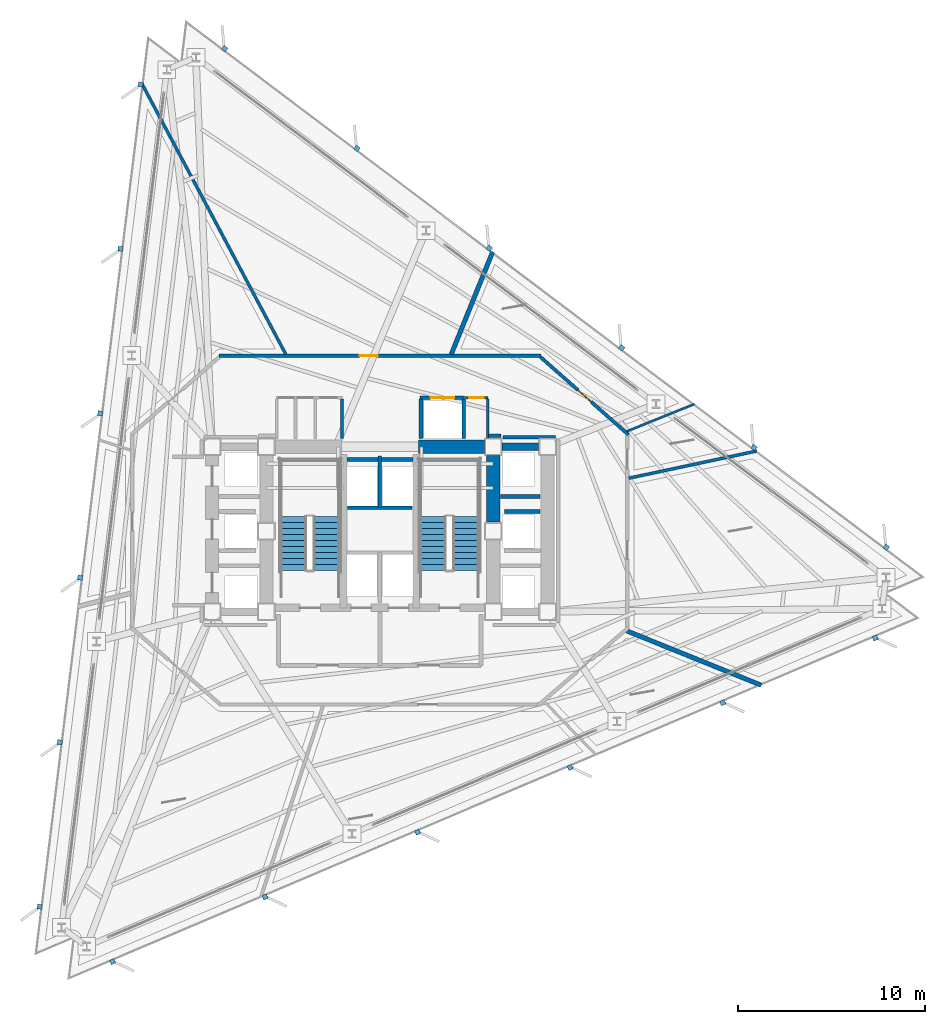
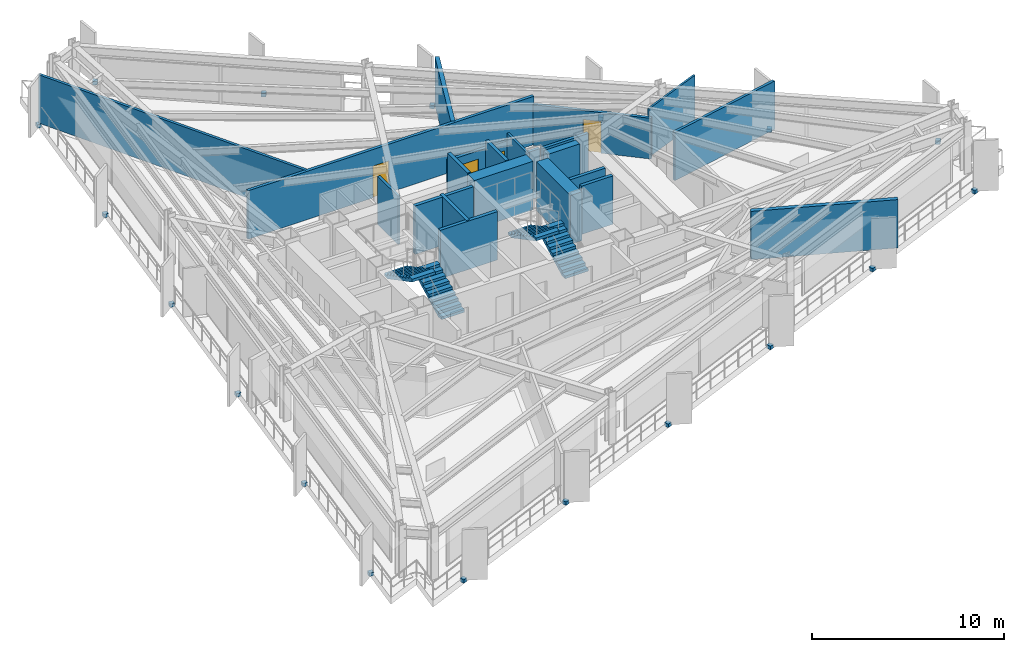
# One storey, part 8 of 13: 23 walls, 18 discrete accessories, 4 doors, 4 stair flights, 4 openings, 2 elements without a shape of their own.
"""IFC4 building model written with IfcOpenShell, lengths in metres."""

from ifc_helpers import new_model, si_unit, direction, frame, frame_2d, origin, origin_2d, place, context, subcontext, project, spatial, polyline, rectangle, outline, extrude, material, layer, layer_set, type_object, element, fill, aggregate, save


model = new_model("IFC4")

# Units and contexts
model_context = context("Model", 3, precision=1e-05, world=origin(), true_north=direction((0.0, 1.0)))
body_context = subcontext(model_context, "Body", "Model", "MODEL_VIEW")
ifc_project = project(units=[si_unit("LENGTHUNIT", "METRE"), si_unit("AREAUNIT", "SQUARE_METRE"), si_unit("VOLUMEUNIT", "CUBIC_METRE"), si_unit("PLANEANGLEUNIT", "RADIAN"), si_unit("MASSUNIT", "GRAM", prefix="KILO")], contexts=[model_context])

# Site, building, storey
site_placement = place(None, origin())
site = spatial("IfcSite", under=ifc_project, at=site_placement, CompositionType="ELEMENT")
building_placement = place(site_placement, origin())
building = spatial("IfcBuilding", under=site, at=building_placement, Name="Rocaltana Carrier Exchange", CompositionType="ELEMENT")
storey_placement = place(building_placement, frame((0.0, 0.0, 49.60009765625)))
storey = spatial("IfcBuildingStorey", under=building, at=storey_placement, Name="L15", CompositionType="ELEMENT", Elevation=49.60009765625)

# Walls
ifc_material_1 = material(Name="Double Acoustic Gypsum Partition", Category="gypsum")
ifc_layer_1 = layer(ifc_material_1, 0.159912109375)
ifc_layer_set_1 = layer_set([ifc_layer_1], Name="Double Acoustic Gypsum Partition")
wall_type_1 = type_object("IfcWallType", Name="Acoustic Studio Partition 160 EI60", PredefinedType="PARTITIONING", material=ifc_layer_set_1)
wall_1_placement = place(storey_placement, frame((13.280029296875, 2.82275390625, 0.0), z_axis=(0.0, 0.0, 1.0), x_axis=(0.978150237712, 0.207899284425, 0.0)))
element("IfcWall", 1, at=wall_1_placement, inside=storey, type_object=wall_type_1, Name="L15 Suite Divider Wall D5", PredefinedType="PARTITIONING", context=body_context, shape_type="SweptSolid", body=[
    extrude(rectangle(XDim=6.98828125, YDim=0.159912109375, at=frame_2d((3.494140625, 0.0))), origin(), (0.0, 0.0, 1.0), 3.072998046875),
])
wall_2_placement = place(storey_placement, frame((-5.013916015625, 9.429931640625, 0.0), z_axis=(0.0, 0.0, 1.0), x_axis=(-0.469473054772, 0.882946799554, 0.0)))
element("IfcWall", 2, at=wall_2_placement, inside=storey, type_object=wall_type_1, Name="L15 Suite Divider Wall D8", PredefinedType="PARTITIONING", context=body_context, shape_type="SweptSolid", body=[
    extrude(rectangle(XDim=16.37939453125, YDim=0.159912109375, at=frame_2d((8.189697265625, 0.0))), origin(), (0.0, 0.0, 1.0), 3.072998046875),
])
ifc_material_2 = material(Name="Concrete C50/60", Category="concrete")
ifc_layer_2 = layer(ifc_material_2, 0.39990234375)
ifc_layer_set_2 = layer_set([ifc_layer_2], Name="Concrete C50/60")
wall_type_2 = type_object("IfcWallType", Name="Core Internal Shear Wall 400", PredefinedType="SHEAR", material=ifc_layer_set_2)
wall_3_placement = place(storey_placement, frame((6.52490234375, 4.5, 0.0), z_axis=(0.0, 0.0, 1.0), x_axis=(1.0, 0.0, 0.0)))
element("IfcWall", 3, at=wall_3_placement, inside=storey, type_object=wall_type_2, Name="L15 Core Shear Wall CW-EWN", PredefinedType="SHEAR", context=body_context, shape_type="SweptSolid", body=[
    extrude(rectangle(XDim=1.9501953125, YDim=0.39990234375, at=frame_2d((0.97509765625, 0.0))), origin(), (0.0, 0.0, 1.0), 3.097900390625),
])
ifc_material_3 = material(Name="Concrete C60/75", Category="concrete")
ifc_layer_3 = layer(ifc_material_3, 0.699951171875)
ifc_layer_set_3 = layer_set([ifc_layer_3], Name="Concrete C60/75")
wall_type_3 = type_object("IfcWallType", Name="Core Shear Wall 700", PredefinedType="SHEAR", material=ifc_layer_set_3)
wall_4_placement = place(storey_placement, frame((6.050048828125, 0.47509765625, 0.0), z_axis=(0.0, 0.0, 1.0), x_axis=(0.0, 1.0, 0.0)))
element("IfcWall", 4, at=wall_4_placement, inside=storey, type_object=wall_type_3, Name="L15 Core Shear Wall CW-EN", PredefinedType="SHEAR", context=body_context, shape_type="SweptSolid", body=[
    extrude(rectangle(XDim=3.5498046875, YDim=0.699951171875, at=frame_2d((1.77490234375, 0.0))), origin(), (0.0, 0.0, 1.0), 3.097900390625),
])
wall_5_placement = place(storey_placement, frame((2.050048828125, 4.5, 0.0), z_axis=(0.0, 0.0, 1.0), x_axis=(1.0, 0.0, 0.0)))
element("IfcWall", 5, at=wall_5_placement, inside=storey, type_object=wall_type_3, Name="L15 Core Shear Wall CW-N2", PredefinedType="SHEAR", context=body_context, shape_type="SweptSolid", body=[
    extrude(rectangle(XDim=3.52490234375, YDim=0.699951171875, at=frame_2d((1.762451171875, 0.0))), origin(), (0.0, 0.0, 1.0), 3.097900390625),
])

# Wall, opening, door
ifc_material_4 = material(Name="Gypsum & Steel Stud Partition", Category="steel")
ifc_layer_4 = layer(ifc_material_4, 0.179931640625)
ifc_layer_set_4 = layer_set([ifc_layer_4], Name="Gypsum & Steel Stud Partition")
wall_type_4 = type_object("IfcWallType", Name="Corridor Fire Partition 180 EI60", PredefinedType="PARTITIONING", material=ifc_layer_set_4)
wall_6_placement = place(storey_placement, frame((-8.590087890625, 9.35009765625, 0.0), z_axis=(0.0, 0.0, 1.0), x_axis=(1.0, 0.0, 0.0)))
wall_6 = element("IfcWall", 6, at=wall_6_placement, inside=storey, type_object=wall_type_4, Name="L15 Corridor Partition 1", PredefinedType="PARTITIONING", context=body_context, shape_type="SweptSolid", body=[
    extrude(rectangle(XDim=17.18017578125, YDim=0.179931640625, at=frame_2d((8.590087890625, 0.0))), origin(), (0.0, 0.0, 1.0), 3.072998046875),
])
opening_1_placement = place(wall_6_placement, frame((7.505859375, 0.0, 0.0)))
opening_1 = element("IfcOpeningElement", 7, at=opening_1_placement, cuts=wall_6, Name="Opening D-RM098", PredefinedType="OPENING", context=body_context, shape_type="SweptSolid", body=[
    extrude(rectangle(XDim=0.9599609375, YDim=2.02001953125, at=frame_2d((0.47998046875, 1.010009765625))), frame((0.0, 0.099853515625, 0.0), z_axis=(0.0, -1.0, 0.0), x_axis=(1.0, 0.0, 0.0)), (0.0, 0.0, 1.0), 0.199951171875),
])
ifc_material_5 = material(Name="Engineered Hardwood Timber", Category="wood")
door_type_1 = type_object("IfcDoorType", Name="Workspace Single Door 960x2020", OperationType="NOTDEFINED", PredefinedType="DOOR", material=ifc_material_5)
door_1_placement = place(opening_1_placement, origin())
door_1 = element("IfcDoor", 8, at=door_1_placement, inside=storey, type_object=door_type_1, Name="L15 Quiet Focus Lounge Entrance Door", OperationType="SINGLE_SWING_RIGHT", OverallHeight=2.02001953125, OverallWidth=0.9599609375, PredefinedType="DOOR", context=body_context, shape_type="SweptSolid", body=[
    extrude(rectangle(XDim=0.9599609375, YDim=2.02001953125, at=frame_2d((0.47998046875, 1.010009765625))), frame((0.0, 0.02490234375, 0.0), z_axis=(0.0, -1.0, 0.0), x_axis=(1.0, 0.0, 0.0)), (0.0, 0.0, 1.0), 0.050048828125),
])
fill(opening_1, door_1)

wall_7_placement = place(storey_placement, frame((8.5673828125, 9.290283203125, 0.0), z_axis=(0.0, 0.0, 1.0), x_axis=(0.749626463267, -0.66186113768, 0.0)))
wall_7 = element("IfcWall", 9, at=wall_7_placement, inside=storey, type_object=wall_type_4, Name="L15 Corridor Partition 2", PredefinedType="PARTITIONING", context=body_context, shape_type="SweptSolid", body=[
    extrude(rectangle(XDim=6.27001953125, YDim=0.179931640625, at=frame_2d((3.135009765625, 0.0))), origin(), (0.0, 0.0, 1.0), 2.5869140625),
])
opening_2_placement = place(wall_7_placement, frame((2.655029296875, 0.0, 0.0)))
opening_2 = element("IfcOpeningElement", 10, at=opening_2_placement, cuts=wall_7, Name="Opening D-RM098", PredefinedType="OPENING", context=body_context, shape_type="SweptSolid", body=[
    extrude(rectangle(XDim=0.9599609375, YDim=2.02001953125, at=frame_2d((0.47998046875, 1.010009765625))), frame((0.0, 0.099853515625, 0.0), z_axis=(0.0, -1.0, 0.0), x_axis=(1.0, 0.0, 0.0)), (0.0, 0.0, 1.0), 0.199951171875),
])
door_2_placement = place(opening_2_placement, origin())
door_2 = element("IfcDoor", 11, at=door_2_placement, inside=storey, type_object=door_type_1, Name="L15 Network Engineering Studio Entrance Door", OperationType="SINGLE_SWING_LEFT", OverallHeight=2.02001953125, OverallWidth=0.9599609375, PredefinedType="DOOR", context=body_context, shape_type="SweptSolid", body=[
    extrude(rectangle(XDim=0.9599609375, YDim=2.02001953125, at=frame_2d((0.47998046875, 1.010009765625))), frame((0.0, 0.02490234375, 0.0), z_axis=(0.0, -1.0, 0.0), x_axis=(1.0, 0.0, 0.0)), (0.0, 0.0, 1.0), 0.050048828125),
])
fill(opening_2, door_2)

# Walls
wall_8_placement = place(storey_placement, frame((9.3701171875, 5.010009765625, 0.0), z_axis=(0.0, 0.0, 1.0), x_axis=(-1.0, 0.0, 0.0)))
element("IfcWall", 12, at=wall_8_placement, inside=storey, type_object=wall_type_4, Name="L15 Corridor Partition 18", PredefinedType="PARTITIONING", context=body_context, shape_type="SweptSolid", body=[
    extrude(rectangle(XDim=2.807861328125, YDim=0.179931640625, at=frame_2d((1.40380859375, 0.0))), origin(), (0.0, 0.0, 1.0), 3.072998046875),
])
wall_9_placement = place(storey_placement, frame((6.469970703125, 5.080078125, 0.0), z_axis=(0.0, 0.0, 1.0), x_axis=(-1.0, 0.0, 0.0)))
element("IfcWall", 13, at=wall_9_placement, inside=storey, type_object=wall_type_4, Name="L15 Corridor Partition 19", PredefinedType="PARTITIONING", context=body_context, shape_type="SweptSolid", body=[
    extrude(rectangle(XDim=0.679931640625, YDim=0.179931640625, at=frame_2d((0.33984375, 0.0))), origin(), (0.0, 0.0, 1.0), 3.072998046875),
])
ifc_material_6 = material(Name="Aluminium 6063-T6 & Acoustic Glass", Category="aluminium")
ifc_layer_5 = layer(ifc_material_6, 0.114990234375)
ifc_layer_set_5 = layer_set([ifc_layer_5], Name="Aluminium 6063-T6 & Acoustic Glass")
wall_type_5 = type_object("IfcWallType", Name="Demountable Glazed Lab Partition 115", PredefinedType="MOVABLE", material=ifc_layer_set_5)
wall_10_placement = place(storey_placement, frame((13.179443359375, 5.324951171875, 0.0), z_axis=(0.0, 0.0, 1.0), x_axis=(0.927199532139, 0.374567787725, 0.0)))
element("IfcWall", 14, at=wall_10_placement, inside=storey, type_object=wall_type_5, Name="L15 Suite Divider Wall D6", PredefinedType="MOVABLE", context=body_context, shape_type="SweptSolid", body=[
    extrude(rectangle(XDim=3.892578125, YDim=0.114990234375, at=frame_2d((1.9462890625, 0.0))), origin(), (0.0, 0.0, 1.0), 3.072998046875),
])
ifc_material_7 = material(Name="Acoustic Calcium Silicate Partition", Category="gypsum")
ifc_layer_6 = layer(ifc_material_7, 0.239990234375)
ifc_layer_set_6 = layer_set([ifc_layer_6], Name="Acoustic Calcium Silicate Partition")
wall_type_6 = type_object("IfcWallType", Name="Heavy Lab Partition 240 EI90", PredefinedType="PARTITIONING", material=ifc_layer_set_6)
wall_11_placement = place(storey_placement, frame((13.17822265625, -5.324462890625, 0.0), z_axis=(0.0, 0.0, 1.0), x_axis=(0.927191467136, -0.374587751094, 0.0)))
element("IfcWall", 15, at=wall_11_placement, inside=storey, type_object=wall_type_6, Name="L15 Suite Divider Wall D4", PredefinedType="PARTITIONING", context=body_context, shape_type="SweptSolid", body=[
    extrude(rectangle(XDim=7.736328125, YDim=0.239990234375, at=frame_2d((3.8681640625, 0.0))), origin(), (0.0, 0.0, 1.0), 3.072998046875),
])
wall_12_placement = place(storey_placement, frame((3.81005859375, 9.429931640625, 0.0), z_axis=(0.0, 0.0, 1.0), x_axis=(0.374593091461, 0.927189309596, 0.0)))
element("IfcWall", 16, at=wall_12_placement, inside=storey, type_object=wall_type_6, Name="L15 Suite Divider Wall D7", PredefinedType="PARTITIONING", context=body_context, shape_type="SweptSolid", body=[
    extrude(rectangle(XDim=5.897705078125, YDim=0.239990234375, at=frame_2d((2.94873046875, 0.0))), origin(), (0.0, 0.0, 1.0), 3.072998046875),
])
ifc_material_8 = material(Name="Reinforced Concrete Block C35/45", Category="concrete")
ifc_layer_7 = layer(ifc_material_8, 0.199951171875)
ifc_layer_set_7 = layer_set([ifc_layer_7], Name="Reinforced Concrete Block C35/45")
wall_type_7 = type_object("IfcWallType", Name="Lift Hoistway Enclosure Wall 200 EI120", PredefinedType="PARTITIONING", material=ifc_layer_set_7)
wall_13_placement = place(storey_placement, frame((0.0, 1.25, 0.0), z_axis=(0.0, 0.0, 1.0), x_axis=(0.0, 1.0, 0.0)))
element("IfcWall", 17, at=wall_13_placement, inside=storey, type_object=wall_type_7, Name="L15 High-Rise Shaft Divider", PredefinedType="PARTITIONING", context=body_context, shape_type="SweptSolid", body=[
    extrude(rectangle(XDim=2.77001953125, YDim=0.199951171875, at=frame_2d((1.385009765625, 0.0))), origin(), (0.0, 0.0, 1.0), 3.072998046875),
])
wall_14_placement = place(storey_placement, frame((-1.719970703125, 1.25, 0.0), z_axis=(0.0, 0.0, 1.0), x_axis=(1.0, 0.0, 0.0)))
element("IfcWall", 18, at=wall_14_placement, inside=storey, type_object=wall_type_7, Name="L15 High-Rise Shaft Back Wall", PredefinedType="PARTITIONING", context=body_context, shape_type="SweptSolid", body=[
    extrude(rectangle(XDim=3.43994140625, YDim=0.199951171875, at=frame_2d((1.719970703125, 0.0))), origin(), (0.0, 0.0, 1.0), 3.072998046875),
])
wall_15_placement = place(storey_placement, frame((-1.760009765625, 3.820068359375, 0.0), z_axis=(0.0, 0.0, 1.0), x_axis=(1.0, 0.0, 0.0)))
element("IfcWall", 19, at=wall_15_placement, inside=storey, type_object=wall_type_7, Name="L15 High-Rise Lift Front Wall", PredefinedType="PARTITIONING", context=body_context, shape_type="SweptSolid", body=[
    extrude(rectangle(XDim=3.52001953125, YDim=0.199951171875, at=frame_2d((1.760009765625, 0.0))), origin(), (0.0, 0.0, 1.0), 3.072998046875),
])
for number, where, z_axis, x_axis, name in (
    (20, (2.199951171875, 4.949951171875, 0.0), (0.0, 0.0, 1.0), (0.0, 1.0, 0.0), "L15 Goods Lift West Wall"),
    (21, (4.47998046875, 4.949951171875, 0.0), (0.0, 0.0, 1.0), (0.0, 1.0, 0.0), "L15 Goods Lift East Wall"),
):
    element("IfcWall", number, at=place(storey_placement, frame(where, z_axis=z_axis, x_axis=x_axis)), inside=storey, type_object=wall_type_7, Name=name, PredefinedType="PARTITIONING", context=body_context, shape_type="SweptSolid", body=[
        extrude(rectangle(XDim=2.10009765625, YDim=0.199951171875, at=frame_2d((1.050048828125, 0.0))), origin(), (0.0, 0.0, 1.0), 3.072998046875),
    ])

# Wall, opening, door
wall_16_placement = place(storey_placement, frame((2.14990234375, 7.1201171875, 0.0), z_axis=(0.0, 0.0, 1.0), x_axis=(1.0, 0.0, 0.0)))
wall_16 = element("IfcWall", 22, at=wall_16_placement, inside=storey, type_object=wall_type_7, Name="L15 Goods Lift Front Wall", PredefinedType="PARTITIONING", context=body_context, shape_type="SweptSolid", body=[
    extrude(rectangle(XDim=2.380126953125, YDim=0.199951171875, at=frame_2d((1.18994140625, 0.0))), origin(), (0.0, 0.0, 1.0), 2.5869140625),
])
opening_3_placement = place(wall_16_placement, frame((0.56005859375, 0.0, 0.0)))
opening_3 = element("IfcOpeningElement", 23, at=opening_3_placement, cuts=wall_16, Name="Opening LD-130", PredefinedType="OPENING", context=body_context, shape_type="SweptSolid", body=[
    extrude(rectangle(XDim=1.260009765625, YDim=2.06005859375, at=frame_2d((0.6298828125, 1.030029296875))), frame((0.0, 0.10986328125, 0.0), z_axis=(0.0, -1.0, 0.0), x_axis=(1.0, 0.0, 0.0)), (0.0, 0.0, 1.0), 0.219970703125),
])
ifc_material_9 = material(Name="Brushed Stainless Sliding Door Leaf", Category="steel")
door_type_2 = type_object("IfcDoorType", Name="Goods Lift Landing Sliding Door 1260x2060", OperationType="NOTDEFINED", PredefinedType="DOOR", material=ifc_material_9)
door_3_placement = place(opening_3_placement, origin())
door_3 = element("IfcDoor", 24, at=door_3_placement, inside=storey, type_object=door_type_2, Name="L15 Goods Lift GL-1 Landing Door", OperationType="SLIDING_TO_LEFT", OverallHeight=2.06005859375, OverallWidth=1.260009765625, PredefinedType="DOOR", context=body_context, shape_type="SweptSolid", body=[
    extrude(rectangle(XDim=1.260009765625, YDim=2.06005859375, at=frame_2d((0.6298828125, 1.030029296875))), frame((0.0, 0.02490234375, 0.0), z_axis=(0.0, -1.0, 0.0), x_axis=(1.0, 0.0, 0.0)), (0.0, 0.0, 1.0), 0.050048828125),
])
fill(opening_3, door_3)

# Walls
wall_17_placement = place(storey_placement, frame((6.449951171875, 1.85009765625, 0.0), z_axis=(0.0, 0.0, 1.0), x_axis=(1.0, 0.0, 0.0)))
element("IfcWall", 25, at=wall_17_placement, inside=storey, type_object=wall_type_7, Name="L15 Mid-Rise Shaft Divider 2", PredefinedType="PARTITIONING", context=body_context, shape_type="SweptSolid", body=[
    extrude(rectangle(XDim=2.10009765625, YDim=0.199951171875, at=frame_2d((1.050048828125, 0.0))), origin(), (0.0, 0.0, 1.0), 3.072998046875),
])
wall_18_placement = place(storey_placement, frame((6.639892578125, 1.050048828125, 0.0), z_axis=(0.0, 0.0, 1.0), x_axis=(1.0, 0.0, 0.0)))
element("IfcWall", 26, at=wall_18_placement, inside=storey, type_object=wall_type_7, Name="L15 Mid-Rise Center Shaft Wall North", PredefinedType="PARTITIONING", context=body_context, shape_type="SweptSolid", body=[
    extrude(rectangle(XDim=1.91015625, YDim=0.199951171875, at=frame_2d((0.955078125, 0.0))), origin(), (0.0, 0.0, 1.0), 3.072998046875),
])
ifc_material_10 = material(Name="Moisture-Resistant Masonry C30/37", Category="masonry")
ifc_layer_8 = layer(ifc_material_10, 0.139892578125)
ifc_layer_set_8 = layer_set([ifc_layer_8], Name="Moisture-Resistant Masonry C30/37")
wall_type_8 = type_object("IfcWallType", Name="Wet-Area Sanitary Partition 140", PredefinedType="PARTITIONING", material=ifc_layer_set_8)
for number, where, z_axis, x_axis, name in (
    (27, (-2.02001953125, 4.949951171875, 0.0), (0.0, 0.0, 1.0), (0.0, 1.0, 0.0), "L15 Sanitary East Wall"),
    (28, (5.760009765625, 4.949951171875, 0.0), (0.0, 0.0, 1.0), (0.0, 1.0, 0.0), "L15 Riser East Wall"),
):
    element("IfcWall", number, at=place(storey_placement, frame(where, z_axis=z_axis, x_axis=x_axis)), inside=storey, type_object=wall_type_8, Name=name, PredefinedType="PARTITIONING", context=body_context, shape_type="SweptSolid", body=[
        extrude(rectangle(XDim=2.10009765625, YDim=0.139892578125, at=frame_2d((1.050048828125, 0.0))), origin(), (0.0, 0.0, 1.0), 3.072998046875),
    ])

# Wall, opening, door
wall_19_placement = place(storey_placement, frame((4.56005859375, 7.1201171875, 0.0), z_axis=(0.0, 0.0, 1.0), x_axis=(1.0, 0.0, 0.0)))
wall_19 = element("IfcWall", 29, at=wall_19_placement, inside=storey, type_object=wall_type_8, Name="L15 Riser North Wall", PredefinedType="PARTITIONING", context=body_context, shape_type="SweptSolid", body=[
    extrude(rectangle(XDim=1.199951171875, YDim=0.139892578125, at=frame_2d((0.60009765625, 0.0))), origin(), (0.0, 0.0, 1.0), 2.5869140625),
])
opening_4_placement = place(wall_19_placement, frame((0.2099609375, 0.0, 0.0)))
opening_4 = element("IfcOpeningElement", 30, at=opening_4_placement, cuts=wall_19, Name="Opening D-RS082", PredefinedType="OPENING", context=body_context, shape_type="SweptSolid", body=[
    extrude(rectangle(XDim=0.780029296875, YDim=2.010009765625, at=frame_2d((0.39013671875, 1.0048828125))), frame((0.0, 0.079833984375, 0.0), z_axis=(0.0, -1.0, 0.0), x_axis=(1.0, 0.0, 0.0)), (0.0, 0.0, 1.0), 0.159912109375),
])
ifc_material_11 = material(Name="Hollow Metal Access Door Leaf", Category="steel")
door_type_3 = type_object("IfcDoorType", Name="Riser & Service Closet Door 780x2010", OperationType="NOTDEFINED", PredefinedType="DOOR", material=ifc_material_11)
door_4_placement = place(opening_4_placement, origin())
door_4 = element("IfcDoor", 31, at=door_4_placement, inside=storey, type_object=door_type_3, Name="L15 Signal Riser Closet Door", OperationType="SINGLE_SWING_LEFT", OverallHeight=2.010009765625, OverallWidth=0.780029296875, PredefinedType="DOOR", context=body_context, shape_type="SweptSolid", body=[
    extrude(rectangle(XDim=0.780029296875, YDim=2.010009765625, at=frame_2d((0.39013671875, 1.0048828125))), frame((0.0, 0.02490234375, 0.0), z_axis=(0.0, -1.0, 0.0), x_axis=(1.0, 0.0, 0.0)), (0.0, 0.0, 1.0), 0.050048828125),
])
fill(opening_4, door_4)

# Stair, stair flights
ifc_material_12 = material(Name="Precast concrete C45/55", Category="concrete")
stair_type = type_object("IfcStairType", Name="Standard Dog-Leg Stair 160", PredefinedType="HALF_TURN_STAIR", material=ifc_material_12)
stair_1_placement = place(storey_placement, origin())
stair_1 = element("IfcStair", 32, at=stair_1_placement, inside=storey, type_object=stair_type, Name="L15 Core West Exit Stair ST-1", PredefinedType="HALF_TURN_STAIR")
ifc_material_13 = material(Name="Precast concrete C45/55", Category="concrete")
stair_flight_type = type_object("IfcStairFlightType", Name="Precast Stair Flight 160", PredefinedType="STRAIGHT", material=ifc_material_13)
stair_flight_1_placement = place(storey_placement, frame((-2.840087890625, -2.10009765625, 0.0), z_axis=(0.0, 0.0, 1.0), x_axis=(0.0, 1.0, 0.0)))
stair_flight_1 = element("IfcStairFlight", 33, at=stair_flight_1_placement, type_object=stair_flight_type, Name="ST-1 flight 1", NumberOfRisers=10, NumberOfTreads=9, PredefinedType="STRAIGHT", RiserHeight=0.168, TreadLength=0.32, context=body_context, shape_type="SweptSolid", body=[
    extrude(outline(polyline([(0.0, 0.0), (0.0, 0.16796875), (0.320068359375, 0.16796875), (0.320068359375, 0.3359375), (0.639892578125, 0.3359375), (0.639892578125, 0.50390625), (0.9599609375, 0.50390625), (0.9599609375, 0.672119140625), (1.280029296875, 0.672119140625), (1.280029296875, 0.840087890625), (1.60009765625, 0.840087890625), (1.60009765625, 1.008056640625), (1.919921875, 1.008056640625), (1.919921875, 1.176025390625), (2.239990234375, 1.176025390625), (2.239990234375, 1.343994140625), (2.56005859375, 1.343994140625), (2.56005859375, 1.511962890625), (2.8798828125, 1.511962890625), (2.8798828125, 1.679931640625), (2.8798828125, 1.331298828125), (0.343994140625, 0.0), (0.0, 0.0)])), frame((0.0, 0.699951171875, 0.0), z_axis=(0.0, -1.0, 0.0), x_axis=(1.0, 0.0, 0.0)), (0.0, 0.0, 1.0), 1.39990234375),
])
stair_flight_2_placement = place(storey_placement, frame((-4.60009765625, 0.780029296875, 1.679931640625), z_axis=(0.0, 0.0, 1.0), x_axis=(0.0, -1.0, 0.0)))
stair_flight_2 = element("IfcStairFlight", 34, at=stair_flight_2_placement, type_object=stair_flight_type, Name="ST-1 flight 2", NumberOfRisers=10, NumberOfTreads=9, PredefinedType="STRAIGHT", RiserHeight=0.168, TreadLength=0.32, context=body_context, shape_type="SweptSolid", body=[
    extrude(outline(polyline([(0.0, 0.0), (0.0, 0.16796875), (0.320068359375, 0.16796875), (0.320068359375, 0.3359375), (0.639892578125, 0.3359375), (0.639892578125, 0.50390625), (0.9599609375, 0.50390625), (0.9599609375, 0.672119140625), (1.280029296875, 0.672119140625), (1.280029296875, 0.840087890625), (1.60009765625, 0.840087890625), (1.60009765625, 1.008056640625), (1.919921875, 1.008056640625), (1.919921875, 1.176025390625), (2.239990234375, 1.176025390625), (2.239990234375, 1.343994140625), (2.56005859375, 1.343994140625), (2.56005859375, 1.511962890625), (2.8798828125, 1.511962890625), (2.8798828125, 1.679931640625), (2.8798828125, 1.331298828125), (0.343994140625, 0.0), (0.0, 0.0)])), frame((0.0, 0.699951171875, 0.0), z_axis=(0.0, -1.0, 0.0), x_axis=(1.0, 0.0, 0.0)), (0.0, 0.0, 1.0), 1.39990234375),
])
aggregate(stair_1, [stair_flight_1, stair_flight_2])

stair_2_placement = place(storey_placement, origin())
stair_2 = element("IfcStair", 35, at=stair_2_placement, inside=storey, type_object=stair_type, Name="L15 Core East Exit Stair ST-2", PredefinedType="HALF_TURN_STAIR")
stair_flight_3_placement = place(storey_placement, frame((4.60009765625, -2.10009765625, 0.0), z_axis=(0.0, 0.0, 1.0), x_axis=(0.0, 1.0, 0.0)))
stair_flight_3 = element("IfcStairFlight", 36, at=stair_flight_3_placement, type_object=stair_flight_type, Name="ST-2 flight 1", NumberOfRisers=10, NumberOfTreads=9, PredefinedType="STRAIGHT", RiserHeight=0.168, TreadLength=0.32, context=body_context, shape_type="SweptSolid", body=[
    extrude(outline(polyline([(0.0, 0.0), (0.0, 0.16796875), (0.320068359375, 0.16796875), (0.320068359375, 0.3359375), (0.639892578125, 0.3359375), (0.639892578125, 0.50390625), (0.9599609375, 0.50390625), (0.9599609375, 0.672119140625), (1.280029296875, 0.672119140625), (1.280029296875, 0.840087890625), (1.60009765625, 0.840087890625), (1.60009765625, 1.008056640625), (1.919921875, 1.008056640625), (1.919921875, 1.176025390625), (2.239990234375, 1.176025390625), (2.239990234375, 1.343994140625), (2.56005859375, 1.343994140625), (2.56005859375, 1.511962890625), (2.8798828125, 1.511962890625), (2.8798828125, 1.679931640625), (2.8798828125, 1.331298828125), (0.343994140625, 0.0), (0.0, 0.0)])), frame((0.0, 0.699951171875, 0.0), z_axis=(0.0, -1.0, 0.0), x_axis=(1.0, 0.0, 0.0)), (0.0, 0.0, 1.0), 1.39990234375),
])
stair_flight_4_placement = place(storey_placement, frame((2.840087890625, 0.780029296875, 1.679931640625), z_axis=(0.0, 0.0, 1.0), x_axis=(0.0, -1.0, 0.0)))
stair_flight_4 = element("IfcStairFlight", 37, at=stair_flight_4_placement, type_object=stair_flight_type, Name="ST-2 flight 2", NumberOfRisers=10, NumberOfTreads=9, PredefinedType="STRAIGHT", RiserHeight=0.168, TreadLength=0.32, context=body_context, shape_type="SweptSolid", body=[
    extrude(outline(polyline([(0.0, 0.0), (0.0, 0.16796875), (0.320068359375, 0.16796875), (0.320068359375, 0.3359375), (0.639892578125, 0.3359375), (0.639892578125, 0.50390625), (0.9599609375, 0.50390625), (0.9599609375, 0.672119140625), (1.280029296875, 0.672119140625), (1.280029296875, 0.840087890625), (1.60009765625, 0.840087890625), (1.60009765625, 1.008056640625), (1.919921875, 1.008056640625), (1.919921875, 1.176025390625), (2.239990234375, 1.176025390625), (2.239990234375, 1.343994140625), (2.56005859375, 1.343994140625), (2.56005859375, 1.511962890625), (2.8798828125, 1.511962890625), (2.8798828125, 1.679931640625), (2.8798828125, 1.331298828125), (0.343994140625, 0.0), (0.0, 0.0)])), frame((0.0, 0.699951171875, 0.0), z_axis=(0.0, -1.0, 0.0), x_axis=(1.0, 0.0, 0.0)), (0.0, 0.0, 1.0), 1.39990234375),
])
aggregate(stair_2, [stair_flight_3, stair_flight_4])

# Discrete accessories
ifc_material_14 = material(Name="Brushed Architectural Stainless Metal", Category="steel")
ifc_layer_9 = layer(ifc_material_14, 0.219970703125)
ifc_layer_set_9 = layer_set([ifc_layer_9], Name="Brushed Architectural Stainless Metal")
discrete_accessory_type = type_object("IfcDiscreteAccessoryType", Name="Stainless Fin Slab-Edge Bracket 260x260x220", PredefinedType="BRACKET", material=ifc_layer_set_9)
for number, where, z_axis, x_axis, name in (
    (38, (27.0205078125, -0.86474609375, -0.2099609375), (0.0, 0.0, 1.0), (-0.798635510047, 0.601815023152, 0.0), "L15 Sandstone Fin Edge Bracket F1-01"),
    (39, (19.960693359375, 4.455322265625, -0.2099609375), (0.0, 0.0, 1.0), (-0.798635510047, 0.601815023152, 0.0), "L15 Sandstone Fin Edge Bracket F1-02"),
    (40, (12.900634765625, 9.775390625, -0.2099609375), (0.0, 0.0, 1.0), (-0.798635510047, 0.601815023152, 0.0), "L15 Sandstone Fin Edge Bracket F1-03"),
    (41, (5.8408203125, 15.095458984375, -0.2099609375), (0.0, 0.0, 1.0), (-0.798635510047, 0.601815023152, 0.0), "L15 Sandstone Fin Edge Bracket F1-04"),
    (42, (-1.21923828125, 20.415283203125, -0.2099609375), (0.0, 0.0, 1.0), (-0.798635510047, 0.601815023152, 0.0), "L15 Sandstone Fin Edge Bracket F1-05"),
    (43, (-8.279296875, 25.7353515625, -0.2099609375), (0.0, 0.0, 1.0), (-0.798635510047, 0.601815023152, 0.0), "L15 Sandstone Fin Edge Bracket F1-06"),
    (44, (-12.76123046875, 23.8330078125, -0.2099609375), (0.0, 0.0, 1.0), (-0.121869343405, -0.992546151641, 0.0), "L15 Sandstone Fin Edge Bracket F2-01"),
    (45, (-13.838623046875, 15.058837890625, -0.2099609375), (0.0, 0.0, 1.0), (-0.121869343405, -0.992546151641, 0.0), "L15 Sandstone Fin Edge Bracket F2-02"),
    (46, (-14.916015625, 6.28466796875, -0.2099609375), (0.0, 0.0, 1.0), (-0.121869343405, -0.992546151641, 0.0), "L15 Sandstone Fin Edge Bracket F2-03"),
    (47, (-15.993408203125, -2.489501953125, -0.2099609375), (0.0, 0.0, 1.0), (-0.121869343405, -0.992546151641, 0.0), "L15 Sandstone Fin Edge Bracket F2-04"),
    (48, (-17.070556640625, -11.263671875, -0.2099609375), (0.0, 0.0, 1.0), (-0.121869343405, -0.992546151641, 0.0), "L15 Sandstone Fin Edge Bracket F2-05"),
    (49, (-18.14794921875, -20.03759765625, -0.2099609375), (0.0, 0.0, 1.0), (-0.121869343405, -0.992546151641, 0.0), "L15 Sandstone Fin Edge Bracket F2-06"),
    (50, (-14.25927734375, -22.968017578125, -0.2099609375), (0.0, 0.0, 1.0), (0.920504853452, 0.390731128489, 0.0), "L15 Sandstone Fin Edge Bracket F3-01"),
    (51, (-6.121826171875, -19.513916015625, -0.2099609375), (0.0, 0.0, 1.0), (0.920504853452, 0.390731128489, 0.0), "L15 Sandstone Fin Edge Bracket F3-02"),
    (52, (2.015380859375, -16.06005859375, -0.2099609375), (0.0, 0.0, 1.0), (0.920504853452, 0.390731128489, 0.0), "L15 Sandstone Fin Edge Bracket F3-03"),
    (53, (10.152587890625, -12.60595703125, -0.2099609375), (0.0, 0.0, 1.0), (0.920504853452, 0.390731128489, 0.0), "L15 Sandstone Fin Edge Bracket F3-04"),
    (54, (18.289794921875, -9.15185546875, -0.2099609375), (0.0, 0.0, 1.0), (0.920504853452, 0.390731128489, 0.0), "L15 Sandstone Fin Edge Bracket F3-05"),
    (55, (26.427001953125, -5.69775390625, -0.2099609375), (0.0, 0.0, 1.0), (0.920504853452, 0.390731128489, 0.0), "L15 Sandstone Fin Edge Bracket F3-06"),
):
    element("IfcDiscreteAccessory", number, at=place(storey_placement, frame(where, z_axis=z_axis, x_axis=x_axis)), inside=storey, type_object=discrete_accessory_type, Name=name, PredefinedType="BRACKET", context=body_context, shape_type="SweptSolid", body=[
        extrude(rectangle(XDim=0.260009765625, YDim=0.260009765625, at=origin_2d()), origin(), (0.0, 0.0, 1.0), 0.219970703125),
    ])

save(model, "model.ifc")
